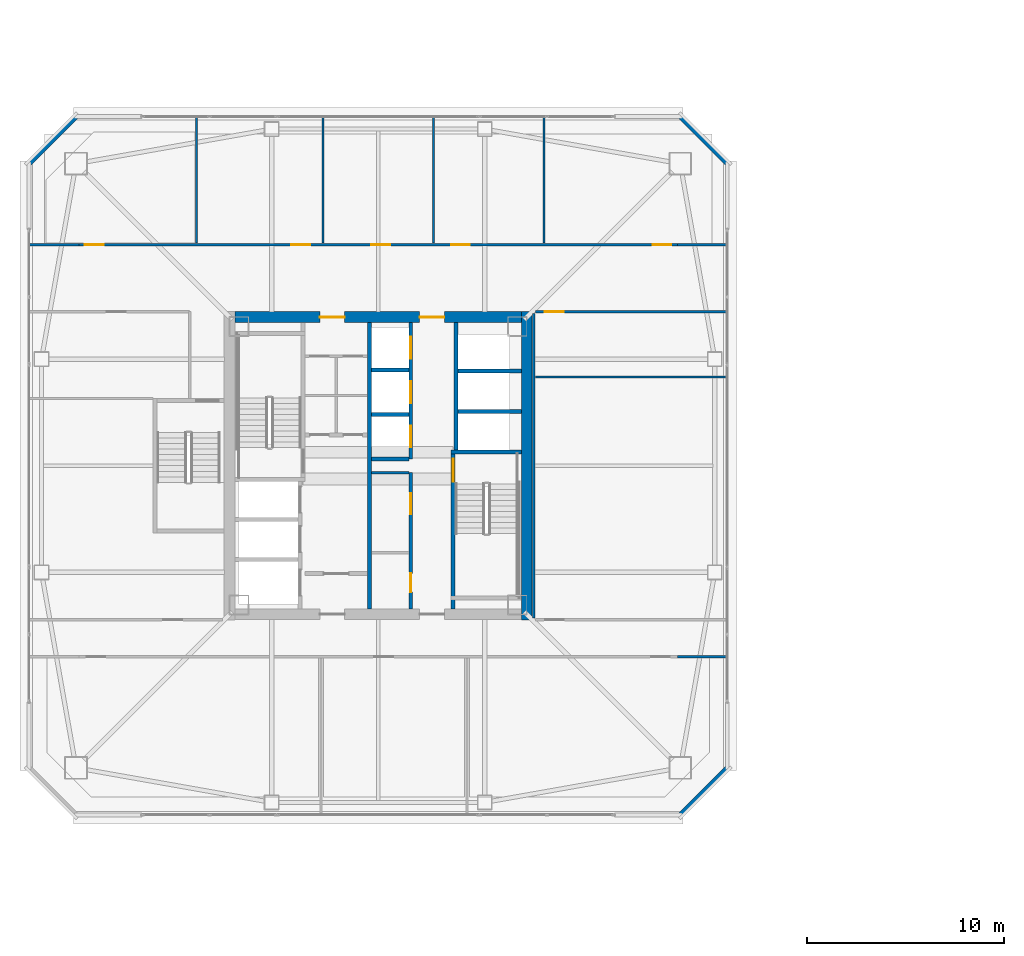
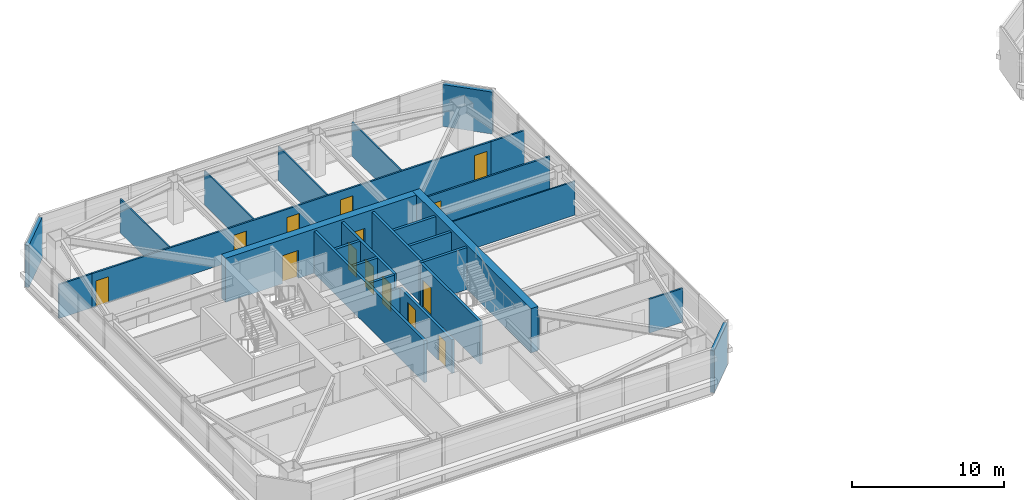
# One storey, part 34 of 43: 28 walls, 14 doors, 14 openings.
"""IFC4 building model written with IfcOpenShell, lengths in metres."""

from ifc_helpers import new_model, si_unit, direction, frame, frame_2d, origin, place, context, subcontext, project, spatial, rectangle, extrude, material, layer, layer_set, type_object, element, fill, save


model = new_model("IFC4")

# Units and contexts
model_context = context("Model", 3, precision=1e-05, world=origin(), true_north=direction((0.0, 1.0)))
body_context = subcontext(model_context, "Body", "Model", "MODEL_VIEW")
ifc_project = project(units=[si_unit("LENGTHUNIT", "METRE"), si_unit("AREAUNIT", "SQUARE_METRE"), si_unit("VOLUMEUNIT", "CUBIC_METRE"), si_unit("PLANEANGLEUNIT", "RADIAN"), si_unit("MASSUNIT", "GRAM", prefix="KILO")], contexts=[model_context])

# Site, building, storey
site_placement = place(None, origin())
site = spatial("IfcSite", under=ifc_project, at=site_placement, CompositionType="ELEMENT")
building_placement = place(site_placement, origin())
building = spatial("IfcBuilding", under=site, at=building_placement, Name="Tashvorn Skyway Center", CompositionType="ELEMENT")
storey_placement = place(building_placement, frame((0.0, 0.0, 160.550048828125)))
storey = spatial("IfcBuildingStorey", under=building, at=storey_placement, Name="L43", CompositionType="ELEMENT", Elevation=160.550048828125)

# Wall
ifc_material_1 = material(Name="Concrete C60/75", Category="concrete")
ifc_layer_1 = layer(ifc_material_1, 0.550048828125)
ifc_layer_set_1 = layer_set([ifc_layer_1], Name="Concrete C60/75")
wall_type_1 = type_object("IfcWallType", Name="WALL-CORE-550", PredefinedType="SHEAR", material=ifc_layer_set_1)
wall_1_placement = place(storey_placement, frame((49.52490234375, 39.800048828125, 0.0), z_axis=(0.0, 0.0, 1.0), x_axis=(0.0, -1.0, 0.0)))
element("IfcWall", 1, at=wall_1_placement, inside=storey, type_object=wall_type_1, Name="Tower 1 L43 East Core Shear Wall", PredefinedType="SHEAR", context=body_context, shape_type="SweptSolid", body=[
    extrude(rectangle(XDim=15.60009765625, YDim=0.550048828125, at=frame_2d((7.800048828125, 0.0))), origin(), (0.0, 0.0, 1.0), 3.550048828125),
])

# Wall, openings, doors
wall_2_placement = place(storey_placement, frame((34.75, 39.52490234375, 0.0), z_axis=(0.0, 0.0, 1.0), x_axis=(1.0, 0.0, 0.0)))
wall_2 = element("IfcWall", 2, at=wall_2_placement, inside=storey, type_object=wall_type_1, Name="Tower 1 L43 North Core Shear Wall", PredefinedType="SHEAR", context=body_context, shape_type="SweptSolid", body=[
    extrude(rectangle(XDim=14.5, YDim=0.550048828125, at=frame_2d((7.25, 0.0))), origin(), (0.0, 0.0, 1.0), 3.550048828125),
])
opening_1_placement = place(wall_2_placement, frame((4.300048828125, 0.0, 0.0)))
opening_1 = element("IfcOpeningElement", 3, at=opening_1_placement, cuts=wall_2, Name="Opening D-FFL-1250", PredefinedType="OPENING", context=body_context, shape_type="SweptSolid", body=[
    extrude(rectangle(XDim=1.25, YDim=2.25, at=frame_2d((0.625, 1.125))), frame((0.0, 0.284912109375, 0.0), z_axis=(0.0, -1.0, 0.0), x_axis=(1.0, 0.0, 0.0)), (0.0, 0.0, 1.0), 0.570068359375),
])
opening_2_placement = place(wall_2_placement, frame((9.35009765625, 0.0, 0.0)))
opening_2 = element("IfcOpeningElement", 4, at=opening_2_placement, cuts=wall_2, Name="Opening D-FFL-1250", PredefinedType="OPENING", context=body_context, shape_type="SweptSolid", body=[
    extrude(rectangle(XDim=1.25, YDim=2.25, at=frame_2d((0.625, 1.125))), frame((0.0, 0.284912109375, 0.0), z_axis=(0.0, -1.0, 0.0), x_axis=(1.0, 0.0, 0.0)), (0.0, 0.0, 1.0), 0.570068359375),
])
ifc_material_2 = material(Name="Hollow galvanized steel fire door assembly", Category="steel")
door_type_1 = type_object("IfcDoorType", Name="DOOR-FFL-1250", OperationType="NOTDEFINED", PredefinedType="DOOR", material=ifc_material_2)
door_1_placement = place(opening_1_placement, origin())
door_1 = element("IfcDoor", 5, at=door_1_placement, inside=storey, type_object=door_type_1, Name="Tower 1 L43 Core North Service Lobby Door", OperationType="SINGLE_SWING_LEFT", OverallHeight=2.25, OverallWidth=1.25, PredefinedType="DOOR", context=body_context, shape_type="SweptSolid", body=[
    extrude(rectangle(XDim=1.25, YDim=2.25, at=frame_2d((0.625, 1.125))), frame((0.0, 0.02490234375, 0.0), z_axis=(0.0, -1.0, 0.0), x_axis=(1.0, 0.0, 0.0)), (0.0, 0.0, 1.0), 0.050048828125),
])
fill(opening_1, door_1)
door_2_placement = place(opening_2_placement, origin())
door_2 = element("IfcDoor", 6, at=door_2_placement, inside=storey, type_object=door_type_1, Name="Tower 1 L43 Core North Lift Lobby Door", OperationType="SINGLE_SWING_RIGHT", OverallHeight=2.25, OverallWidth=1.25, PredefinedType="DOOR", context=body_context, shape_type="SweptSolid", body=[
    extrude(rectangle(XDim=1.25, YDim=2.25, at=frame_2d((0.625, 1.125))), frame((0.0, 0.02490234375, 0.0), z_axis=(0.0, -1.0, 0.0), x_axis=(1.0, 0.0, 0.0)), (0.0, 0.0, 1.0), 0.050048828125),
])
fill(opening_2, door_2)

# Walls
ifc_material_3 = material(Name="Precast concrete C40/50", Category="concrete")
ifc_layer_2 = layer(ifc_material_3, 0.280029296875)
ifc_layer_set_2 = layer_set([ifc_layer_2], Name="Precast concrete C40/50")
wall_type_2 = type_object("IfcWallType", Name="WALL-EXT-280", PredefinedType="SOLIDWALL", material=ifc_layer_set_2)
for number, where, z_axis, x_axis, name in (
    (7, (24.300048828125, 47.300048828125, 0.0), (0.0, 0.0, 1.0), (0.707106781187, 0.707106781187, 0.0), "Tower 1 L43 NW Precast Chamfer Wall"),
    (8, (57.300048828125, 49.699951171875, 0.0), (0.0, 0.0, 1.0), (0.707106781187, -0.707106781187, 0.0), "Tower 1 L43 NE Precast Chamfer Wall"),
    (9, (59.699951171875, 16.699951171875, 0.0), (0.0, 0.0, 1.0), (-0.707106781187, -0.707106781187, 0.0), "Tower 1 L43 SE Precast Chamfer Wall"),
):
    element("IfcWall", number, at=place(storey_placement, frame(where, z_axis=z_axis, x_axis=x_axis)), inside=storey, type_object=wall_type_2, Name=name, PredefinedType="SOLIDWALL", context=body_context, shape_type="SweptSolid", body=[
        extrude(rectangle(XDim=3.39404296875, YDim=0.280029296875, at=frame_2d((1.697021484375, 0.0))), origin(), (0.0, 0.0, 1.0), 3.369873046875),
    ])
ifc_material_4 = material(Name="Gypsum board on cold-formed steel stud framing", Category="steel")
ifc_layer_3 = layer(ifc_material_4, 0.110107421875)
ifc_layer_set_3 = layer_set([ifc_layer_3], Name="Gypsum board on cold-formed steel stud framing")
wall_type_3 = type_object("IfcWallType", Name="WALL-PART-110", PredefinedType="PARTITIONING", material=ifc_layer_set_3)
for number, where, z_axis, x_axis, name in (
    (10, (32.800048828125, 43.280029296875, 0.0), (0.0, 0.0, 1.0), (0.0, 1.0, 0.0), "Tower 1 L43 North Suite Partition 1"),
    (11, (39.199951171875, 43.280029296875, 0.0), (0.0, 0.0, 1.0), (0.0, 1.0, 0.0), "Tower 1 L43 North Suite Partition 2"),
    (12, (44.800048828125, 43.280029296875, 0.0), (0.0, 0.0, 1.0), (0.0, 1.0, 0.0), "Tower 1 L43 North Suite Partition 3"),
    (13, (50.39990234375, 43.280029296875, 0.0), (0.0, 0.0, 1.0), (0.0, 1.0, 0.0), "Tower 1 L43 North Suite Partition 4"),
):
    element("IfcWall", number, at=place(storey_placement, frame(where, z_axis=z_axis, x_axis=x_axis)), inside=storey, type_object=wall_type_3, Name=name, PredefinedType="PARTITIONING", context=body_context, shape_type="SweptSolid", body=[
        extrude(rectangle(XDim=6.39990234375, YDim=0.110107421875, at=frame_2d((3.199951171875, 0.0))), origin(), (0.0, 0.0, 1.0), 2.722900390625),
    ])
wall_3_placement = place(storey_placement, frame((49.9599609375, 36.5, 0.0), z_axis=(0.0, 0.0, 1.0), x_axis=(1.0, 0.0, 0.0)))
element("IfcWall", 14, at=wall_3_placement, inside=storey, type_object=wall_type_3, Name="Tower 1 L43 East Mid Partition", PredefinedType="PARTITIONING", context=body_context, shape_type="SweptSolid", body=[
    extrude(rectangle(XDim=9.719970703125, YDim=0.110107421875, at=frame_2d((4.85986328125, 0.0))), origin(), (0.0, 0.0, 1.0), 2.722900390625),
])

# Wall, openings, doors
ifc_layer_4 = layer(ifc_material_4, 0.135009765625)
ifc_layer_set_4 = layer_set([ifc_layer_4], Name="Gypsum board on cold-formed steel stud framing")
wall_type_4 = type_object("IfcWallType", Name="WALL-PART-135", PredefinedType="PARTITIONING", material=ifc_layer_set_4)
wall_4_placement = place(storey_placement, frame((26.85009765625, 43.199951171875, 0.0), z_axis=(0.0, 0.0, 1.0), x_axis=(1.0, 0.0, 0.0)))
wall_4 = element("IfcWall", 15, at=wall_4_placement, inside=storey, type_object=wall_type_4, Name="Tower 1 L43 North Suite Wall", PredefinedType="PARTITIONING", context=body_context, shape_type="SweptSolid", body=[
    extrude(rectangle(XDim=30.2998046875, YDim=0.135009765625, at=frame_2d((15.14990234375, 0.0))), origin(), (0.0, 0.0, 1.0), 2.722900390625),
])
opening_3_placement = place(wall_4_placement, frame((0.300048828125, 0.0, 0.0)))
opening_3 = element("IfcOpeningElement", 16, at=opening_3_placement, cuts=wall_4, Name="Opening D-INT-950", PredefinedType="OPENING", context=body_context, shape_type="SweptSolid", body=[
    extrude(rectangle(XDim=0.949951171875, YDim=2.050048828125, at=frame_2d((0.47509765625, 1.02490234375))), frame((0.0, 0.077392578125, 0.0), z_axis=(0.0, -1.0, 0.0), x_axis=(1.0, 0.0, 0.0)), (0.0, 0.0, 1.0), 0.155029296875),
])
opening_4_placement = place(wall_4_placement, frame((10.759521484375, 0.0, 0.0)))
opening_4 = element("IfcOpeningElement", 17, at=opening_4_placement, cuts=wall_4, Name="Opening D-INT-950", PredefinedType="OPENING", context=body_context, shape_type="SweptSolid", body=[
    extrude(rectangle(XDim=0.949951171875, YDim=2.050048828125, at=frame_2d((0.47509765625, 1.02490234375))), frame((0.0, 0.077392578125, 0.0), z_axis=(0.0, -1.0, 0.0), x_axis=(1.0, 0.0, 0.0)), (0.0, 0.0, 1.0), 0.155029296875),
])
opening_5_placement = place(wall_4_placement, frame((14.8046875, 0.0, 0.0)))
opening_5 = element("IfcOpeningElement", 18, at=opening_5_placement, cuts=wall_4, Name="Opening D-INT-950", PredefinedType="OPENING", context=body_context, shape_type="SweptSolid", body=[
    extrude(rectangle(XDim=0.949951171875, YDim=2.050048828125, at=frame_2d((0.47509765625, 1.02490234375))), frame((0.0, 0.077392578125, 0.0), z_axis=(0.0, -1.0, 0.0), x_axis=(1.0, 0.0, 0.0)), (0.0, 0.0, 1.0), 0.155029296875),
])
opening_6_placement = place(wall_4_placement, frame((18.8486328125, 0.0, 0.0)))
opening_6 = element("IfcOpeningElement", 19, at=opening_6_placement, cuts=wall_4, Name="Opening D-INT-950", PredefinedType="OPENING", context=body_context, shape_type="SweptSolid", body=[
    extrude(rectangle(XDim=0.949951171875, YDim=2.050048828125, at=frame_2d((0.47509765625, 1.02490234375))), frame((0.0, 0.077392578125, 0.0), z_axis=(0.0, -1.0, 0.0), x_axis=(1.0, 0.0, 0.0)), (0.0, 0.0, 1.0), 0.155029296875),
])
opening_7_placement = place(wall_4_placement, frame((29.050048828125, 0.0, 0.0)))
opening_7 = element("IfcOpeningElement", 20, at=opening_7_placement, cuts=wall_4, Name="Opening D-INT-950", PredefinedType="OPENING", context=body_context, shape_type="SweptSolid", body=[
    extrude(rectangle(XDim=0.949951171875, YDim=2.050048828125, at=frame_2d((0.47509765625, 1.02490234375))), frame((0.0, 0.077392578125, 0.0), z_axis=(0.0, -1.0, 0.0), x_axis=(1.0, 0.0, 0.0)), (0.0, 0.0, 1.0), 0.155029296875),
])
ifc_material_5 = material(Name="Solid-core architectural oak veneer door")
door_type_2 = type_object("IfcDoorType", Name="DOOR-INT-950", OperationType="NOTDEFINED", PredefinedType="DOOR", material=ifc_material_5)
door_3_placement = place(opening_3_placement, origin())
door_3 = element("IfcDoor", 21, at=door_3_placement, inside=storey, type_object=door_type_2, Name="Tower 1 L43 Research Library Door", OperationType="SINGLE_SWING_RIGHT", OverallHeight=2.050048828125, OverallWidth=0.949951171875, PredefinedType="DOOR", context=body_context, shape_type="SweptSolid", body=[
    extrude(rectangle(XDim=0.949951171875, YDim=2.050048828125, at=frame_2d((0.47509765625, 1.02490234375))), frame((0.0, 0.02490234375, 0.0), z_axis=(0.0, -1.0, 0.0), x_axis=(1.0, 0.0, 0.0)), (0.0, 0.0, 1.0), 0.050048828125),
])
fill(opening_3, door_3)
door_4_placement = place(opening_4_placement, origin())
door_4 = element("IfcDoor", 22, at=door_4_placement, inside=storey, type_object=door_type_2, Name="Tower 1 L43 Research Library Door", OperationType="SINGLE_SWING_LEFT", OverallHeight=2.050048828125, OverallWidth=0.949951171875, PredefinedType="DOOR", context=body_context, shape_type="SweptSolid", body=[
    extrude(rectangle(XDim=0.949951171875, YDim=2.050048828125, at=frame_2d((0.47509765625, 1.02490234375))), frame((0.0, 0.02490234375, 0.0), z_axis=(0.0, -1.0, 0.0), x_axis=(1.0, 0.0, 0.0)), (0.0, 0.0, 1.0), 0.050048828125),
])
fill(opening_4, door_4)
door_5_placement = place(opening_5_placement, origin())
door_5 = element("IfcDoor", 23, at=door_5_placement, inside=storey, type_object=door_type_2, Name="Tower 1 L43 Staff Fitness Club Door", OperationType="SINGLE_SWING_RIGHT", OverallHeight=2.050048828125, OverallWidth=0.949951171875, PredefinedType="DOOR", context=body_context, shape_type="SweptSolid", body=[
    extrude(rectangle(XDim=0.949951171875, YDim=2.050048828125, at=frame_2d((0.47509765625, 1.02490234375))), frame((0.0, 0.02490234375, 0.0), z_axis=(0.0, -1.0, 0.0), x_axis=(1.0, 0.0, 0.0)), (0.0, 0.0, 1.0), 0.050048828125),
])
fill(opening_5, door_5)
door_6_placement = place(opening_6_placement, origin())
door_6 = element("IfcDoor", 24, at=door_6_placement, inside=storey, type_object=door_type_2, Name="Tower 1 L43 Research Library Door", OperationType="SINGLE_SWING_LEFT", OverallHeight=2.050048828125, OverallWidth=0.949951171875, PredefinedType="DOOR", context=body_context, shape_type="SweptSolid", body=[
    extrude(rectangle(XDim=0.949951171875, YDim=2.050048828125, at=frame_2d((0.47509765625, 1.02490234375))), frame((0.0, 0.02490234375, 0.0), z_axis=(0.0, -1.0, 0.0), x_axis=(1.0, 0.0, 0.0)), (0.0, 0.0, 1.0), 0.050048828125),
])
fill(opening_6, door_6)
door_7_placement = place(opening_7_placement, origin())
door_7 = element("IfcDoor", 25, at=door_7_placement, inside=storey, type_object=door_type_2, Name="Tower 1 L43 Research Library Door", OperationType="SINGLE_SWING_RIGHT", OverallHeight=2.050048828125, OverallWidth=0.949951171875, PredefinedType="DOOR", context=body_context, shape_type="SweptSolid", body=[
    extrude(rectangle(XDim=0.949951171875, YDim=2.050048828125, at=frame_2d((0.47509765625, 1.02490234375))), frame((0.0, 0.02490234375, 0.0), z_axis=(0.0, -1.0, 0.0), x_axis=(1.0, 0.0, 0.0)), (0.0, 0.0, 1.0), 0.050048828125),
])
fill(opening_7, door_7)

# Walls
for number, where, z_axis, x_axis, name in (
    (26, (24.320068359375, 43.199951171875, 0.0), (0.0, 0.0, 1.0), (1.0, 0.0, 0.0), "Tower 1 L43 North-West Suite South Wall"),
    (27, (57.14990234375, 43.199951171875, 0.0), (0.0, 0.0, 1.0), (1.0, 0.0, 0.0), "Tower 1 L43 North-East Suite South Wall"),
    (28, (57.14990234375, 22.330078125, 0.0), (0.0, 0.0, 1.0), (1.0, 0.0, 0.0), "Tower 1 L43 South-East Suite North Wall"),
):
    element("IfcWall", number, at=place(storey_placement, frame(where, z_axis=z_axis, x_axis=x_axis)), inside=storey, type_object=wall_type_4, Name=name, PredefinedType="PARTITIONING", context=body_context, shape_type="SweptSolid", body=[
        extrude(rectangle(XDim=2.530029296875, YDim=0.135009765625, at=frame_2d((1.26513671875, 0.0))), origin(), (0.0, 0.0, 1.0), 2.722900390625),
    ])
wall_5_placement = place(storey_placement, frame((49.8798828125, 39.719970703125, 0.0), z_axis=(0.0, 0.0, 1.0), x_axis=(0.0, -1.0, 0.0)))
element("IfcWall", 29, at=wall_5_placement, inside=storey, type_object=wall_type_4, Name="Tower 1 L43 East Inner Suite Wall", PredefinedType="PARTITIONING", context=body_context, shape_type="SweptSolid", body=[
    extrude(rectangle(XDim=15.43994140625, YDim=0.135009765625, at=frame_2d((7.719970703125, 0.0))), origin(), (0.0, 0.0, 1.0), 2.722900390625),
])

# Wall, opening, door
wall_6_placement = place(storey_placement, frame((59.679931640625, 39.800048828125, 0.0), z_axis=(0.0, 0.0, 1.0), x_axis=(-1.0, 0.0, 0.0)))
wall_6 = element("IfcWall", 30, at=wall_6_placement, inside=storey, type_object=wall_type_4, Name="Tower 1 L43 East Suite North Wall", PredefinedType="PARTITIONING", context=body_context, shape_type="SweptSolid", body=[
    extrude(rectangle(XDim=9.719970703125, YDim=0.135009765625, at=frame_2d((4.85986328125, 0.0))), origin(), (0.0, 0.0, 1.0), 2.722900390625),
])
opening_8_placement = place(wall_6_placement, frame((8.280029296875, 0.0, 0.0)))
opening_8 = element("IfcOpeningElement", 31, at=opening_8_placement, cuts=wall_6, Name="Opening D-INT-950", PredefinedType="OPENING", context=body_context, shape_type="SweptSolid", body=[
    extrude(rectangle(XDim=0.949951171875, YDim=2.050048828125, at=frame_2d((0.47509765625, 1.02490234375))), frame((0.0, 0.077392578125, 0.0), z_axis=(0.0, -1.0, 0.0), x_axis=(1.0, 0.0, 0.0)), (0.0, 0.0, 1.0), 0.155029296875),
])
door_8_placement = place(opening_8_placement, origin())
door_8 = element("IfcDoor", 32, at=door_8_placement, inside=storey, type_object=door_type_2, Name="Tower 1 L43 Research Library Door", OperationType="SINGLE_SWING_RIGHT", OverallHeight=2.050048828125, OverallWidth=0.949951171875, PredefinedType="DOOR", context=body_context, shape_type="SweptSolid", body=[
    extrude(rectangle(XDim=0.949951171875, YDim=2.050048828125, at=frame_2d((0.47509765625, 1.02490234375))), frame((0.0, 0.02490234375, 0.0), z_axis=(0.0, -1.0, 0.0), x_axis=(1.0, 0.0, 0.0)), (0.0, 0.0, 1.0), 0.050048828125),
])
fill(opening_8, door_8)

# Walls
ifc_layer_5 = layer(ifc_material_4, 0.135009765625)
ifc_layer_set_5 = layer_set([ifc_layer_5], Name="Gypsum board on cold-formed steel stud framing")
wall_type_5 = type_object("IfcWallType", Name="WALL-RATED-135", PredefinedType="PARTITIONING", material=ifc_layer_set_5)
wall_7_placement = place(storey_placement, frame((41.669921875, 31.64990234375, 0.0), z_axis=(0.0, 0.0, 1.0), x_axis=(1.0, 0.0, 0.0)))
element("IfcWall", 33, at=wall_7_placement, inside=storey, type_object=wall_type_5, Name="Tower 1 L43 Core Room Partition", PredefinedType="PARTITIONING", context=body_context, shape_type="SweptSolid", body=[
    extrude(rectangle(XDim=1.880126953125, YDim=0.135009765625, at=frame_2d((0.93994140625, 0.0))), origin(), (0.0, 0.0, 1.0), 2.722900390625),
])
ifc_material_6 = material(Name="Concrete C40/50", Category="concrete")
ifc_layer_6 = layer(ifc_material_6, 0.199951171875)
ifc_layer_set_6 = layer_set([ifc_layer_6], Name="Concrete C40/50")
wall_type_6 = type_object("IfcWallType", Name="WALL-SHAFT-200", PredefinedType="SOLIDWALL", material=ifc_layer_set_6)
for number, where, z_axis, x_axis, name in (
    (34, (46.050048828125, 34.75, 0.0), (0.0, 0.0, 1.0), (1.0, 0.0, 0.0), "Tower 1 L43 High-Rise Shaft Divider"),
    (35, (46.050048828125, 36.800048828125, 0.0), (0.0, 0.0, 1.0), (1.0, 0.0, 0.0), "Tower 1 L43 High-Rise Shaft Divider"),
):
    element("IfcWall", number, at=place(storey_placement, frame(where, z_axis=z_axis, x_axis=x_axis)), inside=storey, type_object=wall_type_6, Name=name, PredefinedType="SOLIDWALL", context=body_context, shape_type="SweptSolid", body=[
        extrude(rectangle(XDim=3.199951171875, YDim=0.199951171875, at=frame_2d((1.60009765625, 0.0))), origin(), (0.0, 0.0, 1.0), 3.369873046875),
    ])

# Wall, openings, doors
wall_8_placement = place(storey_placement, frame((43.64990234375, 24.75, 0.0), z_axis=(0.0, 0.0, 1.0), x_axis=(0.0, 1.0, 0.0)))
wall_8 = element("IfcWall", 36, at=wall_8_placement, inside=storey, type_object=wall_type_6, Name="Tower 1 L43 Low-Rise Core Wall", PredefinedType="SOLIDWALL", context=body_context, shape_type="SweptSolid", body=[
    extrude(rectangle(XDim=6.89990234375, YDim=0.199951171875, at=frame_2d((3.449951171875, 0.0))), origin(), (0.0, 0.0, 1.0), 2.722900390625),
])
opening_9_placement = place(wall_8_placement, frame((0.85009765625, 0.0, 0.0)))
opening_9 = element("IfcOpeningElement", 37, at=opening_9_placement, cuts=wall_8, Name="Opening D-RT-950", PredefinedType="OPENING", context=body_context, shape_type="SweptSolid", body=[
    extrude(rectangle(XDim=0.949951171875, YDim=2.050048828125, at=frame_2d((0.47509765625, 1.02490234375))), frame((0.0, 0.10986328125, 0.0), z_axis=(0.0, -1.0, 0.0), x_axis=(1.0, 0.0, 0.0)), (0.0, 0.0, 1.0), 0.219970703125),
])
opening_10_placement = place(wall_8_placement, frame((4.800048828125, 0.0, 0.0)))
opening_10 = element("IfcOpeningElement", 38, at=opening_10_placement, cuts=wall_8, Name="Opening D-RT-1050", PredefinedType="OPENING", context=body_context, shape_type="SweptSolid", body=[
    extrude(rectangle(XDim=1.050048828125, YDim=2.199951171875, at=frame_2d((0.52490234375, 1.10009765625))), frame((0.0, 0.10986328125, 0.0), z_axis=(0.0, -1.0, 0.0), x_axis=(1.0, 0.0, 0.0)), (0.0, 0.0, 1.0), 0.219970703125),
])
door_type_3 = type_object("IfcDoorType", Name="DOOR-RATED-1050", OperationType="NOTDEFINED", PredefinedType="DOOR", material=ifc_material_2)
door_9_placement = place(opening_10_placement, origin())
door_9 = element("IfcDoor", 39, at=door_9_placement, inside=storey, type_object=door_type_3, Name="Tower 1 L43 Freed Core Room Door", OperationType="SINGLE_SWING_RIGHT", OverallHeight=2.199951171875, OverallWidth=1.050048828125, PredefinedType="DOOR", context=body_context, shape_type="SweptSolid", body=[
    extrude(rectangle(XDim=1.050048828125, YDim=2.199951171875, at=frame_2d((0.52490234375, 1.10009765625))), frame((0.0, 0.02490234375, 0.0), z_axis=(0.0, -1.0, 0.0), x_axis=(1.0, 0.0, 0.0)), (0.0, 0.0, 1.0), 0.050048828125),
])
fill(opening_10, door_9)
door_type_4 = type_object("IfcDoorType", Name="DOOR-RATED-950", OperationType="NOTDEFINED", PredefinedType="DOOR", material=ifc_material_2)
door_10_placement = place(opening_9_placement, origin())
door_10 = element("IfcDoor", 40, at=door_10_placement, inside=storey, type_object=door_type_4, Name="Tower 1 L43 Core Print Room Door", OperationType="SINGLE_SWING_LEFT", OverallHeight=2.050048828125, OverallWidth=0.949951171875, PredefinedType="DOOR", context=body_context, shape_type="SweptSolid", body=[
    extrude(rectangle(XDim=0.949951171875, YDim=2.050048828125, at=frame_2d((0.47509765625, 1.02490234375))), frame((0.0, 0.02490234375, 0.0), z_axis=(0.0, -1.0, 0.0), x_axis=(1.0, 0.0, 0.0)), (0.0, 0.0, 1.0), 0.050048828125),
])
fill(opening_9, door_10)

wall_9_placement = place(storey_placement, frame((43.64990234375, 32.35009765625, 0.0), z_axis=(0.0, 0.0, 1.0), x_axis=(0.0, 1.0, 0.0)))
wall_9 = element("IfcWall", 41, at=wall_9_placement, inside=storey, type_object=wall_type_6, Name="Tower 1 L43 Mid-Rise Core Wall", PredefinedType="SOLIDWALL", context=body_context, shape_type="SweptSolid", body=[
    extrude(rectangle(XDim=6.89990234375, YDim=0.199951171875, at=frame_2d((3.449951171875, 0.0))), origin(), (0.0, 0.0, 1.0), 3.369873046875),
])
opening_11_placement = place(wall_9_placement, frame((0.574951171875, 0.0, 0.0)))
opening_11 = element("IfcOpeningElement", 42, at=opening_11_placement, cuts=wall_9, Name="Opening LD-MR-T1-1-L43", PredefinedType="OPENING", context=body_context, shape_type="SweptSolid", body=[
    extrude(rectangle(XDim=1.10009765625, YDim=2.199951171875, at=frame_2d((0.550048828125, 1.10009765625))), frame((0.0, 0.10986328125, 0.0), z_axis=(0.0, -1.0, 0.0), x_axis=(1.0, 0.0, 0.0)), (0.0, 0.0, 1.0), 0.219970703125),
])
opening_12_placement = place(wall_9_placement, frame((2.824951171875, 0.0, 0.0)))
opening_12 = element("IfcOpeningElement", 43, at=opening_12_placement, cuts=wall_9, Name="Opening LD-MR-T1-2-L43", PredefinedType="OPENING", context=body_context, shape_type="SweptSolid", body=[
    extrude(rectangle(XDim=1.10009765625, YDim=2.199951171875, at=frame_2d((0.550048828125, 1.10009765625))), frame((0.0, 0.10986328125, 0.0), z_axis=(0.0, -1.0, 0.0), x_axis=(1.0, 0.0, 0.0)), (0.0, 0.0, 1.0), 0.219970703125),
])
opening_13_placement = place(wall_9_placement, frame((5.074951171875, 0.0, 0.0)))
opening_13 = element("IfcOpeningElement", 44, at=opening_13_placement, cuts=wall_9, Name="Opening LD-MR-T1-3-L43", PredefinedType="OPENING", context=body_context, shape_type="SweptSolid", body=[
    extrude(rectangle(XDim=1.10009765625, YDim=2.199951171875, at=frame_2d((0.550048828125, 1.10009765625))), frame((0.0, 0.10986328125, 0.0), z_axis=(0.0, -1.0, 0.0), x_axis=(1.0, 0.0, 0.0)), (0.0, 0.0, 1.0), 0.219970703125),
])
ifc_material_7 = material(Name="Stainless steel landing door", Category="steel")
door_type_5 = type_object("IfcDoorType", Name="DOOR-LIFT-1100", OperationType="SLIDING_TO_LEFT", PredefinedType="DOOR", material=ifc_material_7)
door_11_placement = place(opening_11_placement, origin())
door_11 = element("IfcDoor", 45, at=door_11_placement, inside=storey, type_object=door_type_5, Name="Lift MR-T1-1 L43 Landing Door", OperationType="SLIDING_TO_LEFT", OverallHeight=2.199951171875, OverallWidth=1.10009765625, PredefinedType="DOOR", context=body_context, shape_type="SweptSolid", body=[
    extrude(rectangle(XDim=1.10009765625, YDim=2.199951171875, at=frame_2d((0.550048828125, 1.10009765625))), frame((0.0, 0.02490234375, 0.0), z_axis=(0.0, -1.0, 0.0), x_axis=(1.0, 0.0, 0.0)), (0.0, 0.0, 1.0), 0.050048828125),
])
fill(opening_11, door_11)
door_12_placement = place(opening_12_placement, origin())
door_12 = element("IfcDoor", 46, at=door_12_placement, inside=storey, type_object=door_type_5, Name="Lift MR-T1-2 L43 Landing Door", OperationType="SLIDING_TO_LEFT", OverallHeight=2.199951171875, OverallWidth=1.10009765625, PredefinedType="DOOR", context=body_context, shape_type="SweptSolid", body=[
    extrude(rectangle(XDim=1.10009765625, YDim=2.199951171875, at=frame_2d((0.550048828125, 1.10009765625))), frame((0.0, 0.02490234375, 0.0), z_axis=(0.0, -1.0, 0.0), x_axis=(1.0, 0.0, 0.0)), (0.0, 0.0, 1.0), 0.050048828125),
])
fill(opening_12, door_12)
door_13_placement = place(opening_13_placement, origin())
door_13 = element("IfcDoor", 47, at=door_13_placement, inside=storey, type_object=door_type_5, Name="Lift MR-T1-3 L43 Landing Door", OperationType="SLIDING_TO_LEFT", OverallHeight=2.199951171875, OverallWidth=1.10009765625, PredefinedType="DOOR", context=body_context, shape_type="SweptSolid", body=[
    extrude(rectangle(XDim=1.10009765625, YDim=2.199951171875, at=frame_2d((0.550048828125, 1.10009765625))), frame((0.0, 0.02490234375, 0.0), z_axis=(0.0, -1.0, 0.0), x_axis=(1.0, 0.0, 0.0)), (0.0, 0.0, 1.0), 0.050048828125),
])
fill(opening_13, door_13)

# Walls
for number, where, z_axis, x_axis, name in (
    (48, (41.669921875, 32.35009765625, 0.0), (0.0, 0.0, 1.0), (1.0, 0.0, 0.0), "Tower 1 L43 Mid-Rise Shaft Divider"),
    (49, (41.669921875, 34.60009765625, 0.0), (0.0, 0.0, 1.0), (1.0, 0.0, 0.0), "Tower 1 L43 Mid-Rise Shaft Divider"),
    (50, (41.669921875, 36.85009765625, 0.0), (0.0, 0.0, 1.0), (1.0, 0.0, 0.0), "Tower 1 L43 Mid-Rise Shaft Divider"),
):
    element("IfcWall", number, at=place(storey_placement, frame(where, z_axis=z_axis, x_axis=x_axis)), inside=storey, type_object=wall_type_6, Name=name, PredefinedType="SOLIDWALL", context=body_context, shape_type="SweptSolid", body=[
        extrude(rectangle(XDim=1.880126953125, YDim=0.199951171875, at=frame_2d((0.93994140625, 0.0))), origin(), (0.0, 0.0, 1.0), 3.369873046875),
    ])

# Wall, opening, door
ifc_layer_7 = layer(ifc_material_6, 0.199951171875)
ifc_layer_set_7 = layer_set([ifc_layer_7], Name="Concrete C40/50")
wall_type_7 = type_object("IfcWallType", Name="WALL-STSHF-200", PredefinedType="SHEAR", material=ifc_layer_set_7)
wall_10_placement = place(storey_placement, frame((45.800048828125, 32.800048828125, 0.0), z_axis=(0.0, 0.0, 1.0), x_axis=(0.0, -1.0, 0.0)))
wall_10 = element("IfcWall", 51, at=wall_10_placement, inside=storey, type_object=wall_type_7, Name="Tower 1 L43 Stair 2 Enclosure Wall", PredefinedType="SHEAR", context=body_context, shape_type="SweptSolid", body=[
    extrude(rectangle(XDim=8.050048828125, YDim=0.199951171875, at=frame_2d((4.02490234375, 0.0))), origin(), (0.0, 0.0, 1.0), 3.369873046875),
])
opening_14_placement = place(wall_10_placement, frame((0.449951171875, 0.0, 0.0)))
opening_14 = element("IfcOpeningElement", 52, at=opening_14_placement, cuts=wall_10, Name="Opening D-ST-1150", PredefinedType="OPENING", context=body_context, shape_type="SweptSolid", body=[
    extrude(rectangle(XDim=1.14990234375, YDim=2.199951171875, at=frame_2d((0.574951171875, 1.10009765625))), frame((0.0, 0.10986328125, 0.0), z_axis=(0.0, -1.0, 0.0), x_axis=(1.0, 0.0, 0.0)), (0.0, 0.0, 1.0), 0.219970703125),
])
door_type_6 = type_object("IfcDoorType", Name="DOOR-STAIR-1150", OperationType="NOTDEFINED", PredefinedType="DOOR", material=ifc_material_2)
door_14_placement = place(opening_14_placement, origin())
door_14 = element("IfcDoor", 53, at=door_14_placement, inside=storey, type_object=door_type_6, Name="Tower 1 L43 Exit Stair 2 Door", OperationType="SINGLE_SWING_RIGHT", OverallHeight=2.199951171875, OverallWidth=1.14990234375, PredefinedType="DOOR", context=body_context, shape_type="SweptSolid", body=[
    extrude(rectangle(XDim=1.14990234375, YDim=2.199951171875, at=frame_2d((0.574951171875, 1.10009765625))), frame((0.0, 0.02490234375, 0.0), z_axis=(0.0, -1.0, 0.0), x_axis=(1.0, 0.0, 0.0)), (0.0, 0.0, 1.0), 0.050048828125),
])
fill(opening_14, door_14)

# Walls
wall_11_placement = place(storey_placement, frame((45.699951171875, 32.699951171875, 0.0), z_axis=(0.0, 0.0, 1.0), x_axis=(1.0, 0.0, 0.0)))
element("IfcWall", 54, at=wall_11_placement, inside=storey, type_object=wall_type_7, Name="Tower 1 L43 Stair 2 North Wall", PredefinedType="SHEAR", context=body_context, shape_type="SweptSolid", body=[
    extrude(rectangle(XDim=3.550048828125, YDim=0.199951171875, at=frame_2d((1.77490234375, 0.0))), origin(), (0.0, 0.0, 1.0), 3.369873046875),
])
wall_12_placement = place(storey_placement, frame((41.56005859375, 24.75, 0.0), z_axis=(0.0, 0.0, 1.0), x_axis=(0.0, 1.0, 0.0)))
element("IfcWall", 55, at=wall_12_placement, inside=storey, type_object=wall_type_7, Name="Tower 1 L43 Firefighting Lobby East Smoke Barrier", PredefinedType="SHEAR", context=body_context, shape_type="SweptSolid", body=[
    extrude(rectangle(XDim=14.5, YDim=0.199951171875, at=frame_2d((7.25, 0.0))), origin(), (0.0, 0.0, 1.0), 3.369873046875),
])
wall_13_placement = place(storey_placement, frame((45.949951171875, 39.25, 0.0), z_axis=(0.0, 0.0, 1.0), x_axis=(0.0, -1.0, 0.0)))
element("IfcWall", 56, at=wall_13_placement, inside=storey, type_object=wall_type_7, Name="Tower 1 L43 High-Rise Lift Shaft Front Wall", PredefinedType="SHEAR", context=body_context, shape_type="SweptSolid", body=[
    extrude(rectangle(XDim=6.449951171875, YDim=0.199951171875, at=frame_2d((3.22509765625, 0.0))), origin(), (0.0, 0.0, 1.0), 3.369873046875),
])

save(model, "model.ifc")
